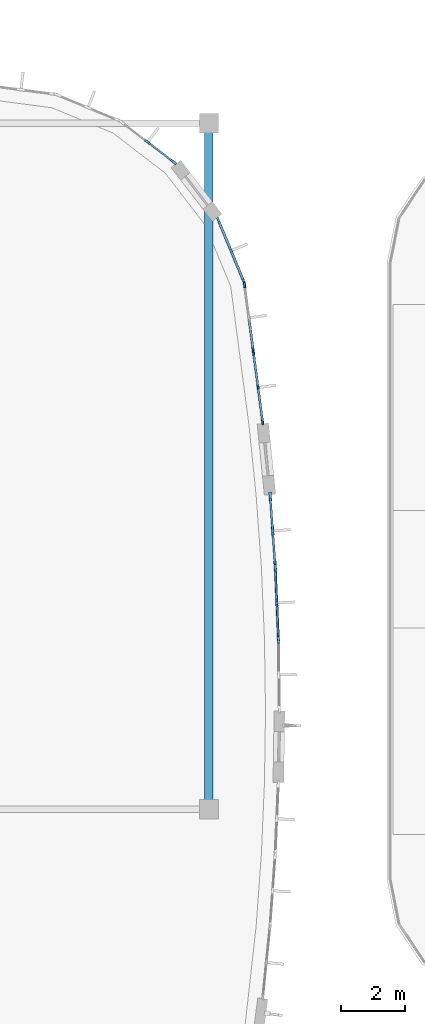
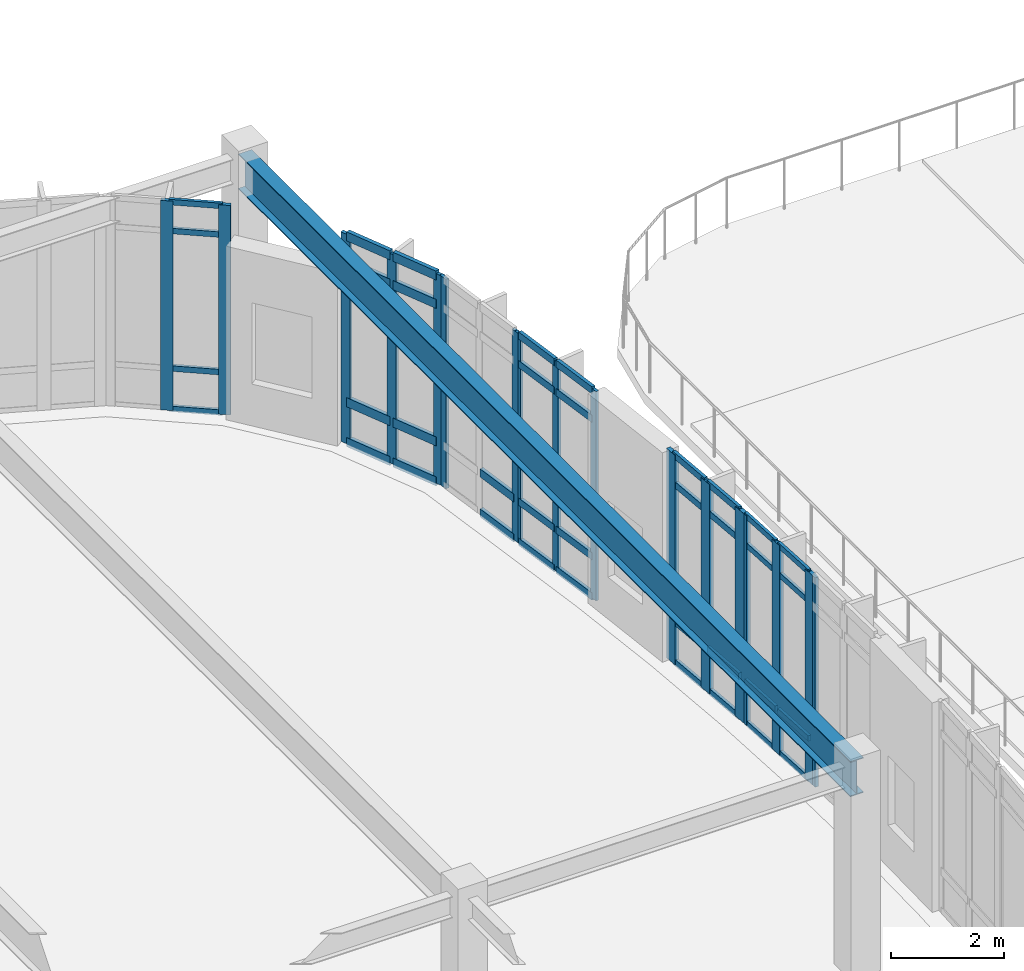
# One storey, part 48 of 120: 55 members, 1 beam, 7 elements without a shape of their own.
"""IFC4 building model written with IfcOpenShell, lengths in metres."""

from ifc_helpers import new_model, si_unit, direction, frame, origin, origin_2d, place, context, subcontext, project, spatial, rectangle, i_section, extrude, material, material_profile, profile_set, type_object, element, aggregate, save


model = new_model("IFC4")

# Units and contexts
model_context = context("Model", 3, precision=1e-05, world=origin(), true_north=direction((0.0, 1.0)))
body_context = subcontext(model_context, "Body", "Model", "MODEL_VIEW")
ifc_project = project(units=[si_unit("LENGTHUNIT", "METRE"), si_unit("AREAUNIT", "SQUARE_METRE"), si_unit("VOLUMEUNIT", "CUBIC_METRE"), si_unit("PLANEANGLEUNIT", "RADIAN"), si_unit("MASSUNIT", "GRAM", prefix="KILO")], contexts=[model_context])

# Site, building, storey
site_placement = place(None, origin())
site = spatial("IfcSite", under=ifc_project, at=site_placement, CompositionType="ELEMENT")
building_placement = place(site_placement, origin())
building = spatial("IfcBuilding", under=site, at=building_placement, Name="Corveleigh Park Community Centre", CompositionType="ELEMENT")
storey_placement = place(building_placement, origin())
storey = spatial("IfcBuildingStorey", under=building, at=storey_placement, Name="L00", CompositionType="ELEMENT", Elevation=0.0)

# Beam
ifc_material_1 = material(Name="Steel S355", Category="steel")
ifc_material_profile_1 = material_profile(ifc_material_1, i_section(OverallWidth=0.2666015625, OverallDepth=0.76220703125, WebThickness=0.014404296875, FlangeThickness=0.021484375, at=origin_2d()), Name="UKB 762x267x173", Category="steel")
ifc_profile_set_1 = profile_set([ifc_material_profile_1], Name="Steel S355")
beam_type = type_object("IfcBeamType", Name="BM-STL-UKB762x173", PredefinedType="BEAM", material=ifc_profile_set_1)
beam_placement = place(storey_placement, frame((54.39990234375, 92.804931640625, 4.130859375), z_axis=(0.0, 1.0, 0.0), x_axis=(-1.0, 0.0, 0.0)))
element("IfcBeam", 1, at=beam_placement, inside=storey, type_object=beam_type, Name="V2 Hall Floor Girder", PredefinedType="BEAM", context=body_context, shape_type="SweptSolid", body=[
    extrude(i_section(OverallWidth=0.2666015625, OverallDepth=0.76220703125, WebThickness=0.014404296875, FlangeThickness=0.021484375, at=origin_2d()), origin(), (0.0, 0.0, 1.0), 21.590087890625),
])

# Curtain wall, members
ifc_material_2 = material(Name="Anodised aluminium 6063-T6", Category="aluminium")
curtain_wall_type = type_object("IfcCurtainWallType", Name="CW-SYS-V2-L00", PredefinedType="NOTDEFINED", material=ifc_material_2)
curtain_wall_1_placement = place(storey_placement, origin())
curtain_wall_1 = element("IfcCurtainWall", 2, at=curtain_wall_1_placement, inside=storey, type_object=curtain_wall_type, Name="V2 L00 Curtain Wall 43", PredefinedType="NOTDEFINED")
ifc_material_profile_2 = material_profile(ifc_material_2, rectangle(XDim=0.06005859375, YDim=0.159912109375, at=origin_2d()), Name="ALU-M60x160", Category="aluminium")
ifc_profile_set_2 = profile_set([ifc_material_profile_2], Name="Anodised aluminium 6063-T6")
member_type_1 = type_object("IfcMemberType", Name="CWM-60x160", PredefinedType="MULLION", material=ifc_profile_set_2)
member_1_placement = place(storey_placement, frame((55.804931640625, 107.164306640625, 0.0), z_axis=(0.0, 0.0, 1.0), x_axis=(0.991508592502, 0.13004118961, 0.0)))
member_1 = element("IfcMember", 3, at=member_1_placement, type_object=member_type_1, Name="CW03 mullion 1", PredefinedType="MULLION", context=body_context, shape_type="SweptSolid", body=[
    extrude(rectangle(XDim=0.06005859375, YDim=0.159912109375, at=origin_2d()), origin(), (0.0, 0.0, 1.0), 4.511962890625),
])
member_2_placement = place(storey_placement, frame((55.947509765625, 106.076904296875, 0.0), z_axis=(0.0, 0.0, 1.0), x_axis=(0.991508592502, 0.13004118961, 0.0)))
member_2 = element("IfcMember", 4, at=member_2_placement, type_object=member_type_1, Name="CW03 mullion 2", PredefinedType="MULLION", context=body_context, shape_type="SweptSolid", body=[
    extrude(rectangle(XDim=0.06005859375, YDim=0.159912109375, at=origin_2d()), origin(), (0.0, 0.0, 1.0), 4.511962890625),
])
member_3_placement = place(storey_placement, frame((56.090087890625, 104.98974609375, 0.0), z_axis=(0.0, 0.0, 1.0), x_axis=(0.991508592502, 0.13004118961, 0.0)))
member_3 = element("IfcMember", 5, at=member_3_placement, type_object=member_type_1, Name="CW03 mullion 3", PredefinedType="MULLION", context=body_context, shape_type="SweptSolid", body=[
    extrude(rectangle(XDim=0.06005859375, YDim=0.159912109375, at=origin_2d()), origin(), (0.0, 0.0, 1.0), 4.511962890625),
])

curtain_wall_2_placement = place(storey_placement, origin())
curtain_wall_2 = element("IfcCurtainWall", 6, at=curtain_wall_2_placement, inside=storey, type_object=curtain_wall_type, Name="V2 L00 Curtain Wall 44", PredefinedType="NOTDEFINED")
ifc_material_profile_3 = material_profile(ifc_material_2, rectangle(XDim=0.06494140625, YDim=0.179931640625, at=origin_2d()), Name="ALU-M65x180", Category="aluminium")
ifc_profile_set_3 = profile_set([ifc_material_profile_3], Name="Anodised aluminium 6063-T6")
member_type_2 = type_object("IfcMemberType", Name="CWM-65x180", PredefinedType="MULLION", material=ifc_profile_set_3)
member_4_placement = place(storey_placement, frame((55.522216796875, 109.309814453125, 0.0), z_axis=(0.0, 0.0, 1.0), x_axis=(0.99145745499, 0.130430498525, 0.0)))
member_4 = element("IfcMember", 7, at=member_4_placement, type_object=member_type_2, Name="CW03 mullion 1", PredefinedType="MULLION", context=body_context, shape_type="SweptSolid", body=[
    extrude(rectangle(XDim=0.06494140625, YDim=0.179931640625, at=origin_2d()), origin(), (0.0, 0.0, 1.0), 4.511962890625),
])
member_5_placement = place(storey_placement, frame((55.794677734375, 107.23828125, 0.0), z_axis=(0.0, 0.0, 1.0), x_axis=(0.99145745499, 0.130430498525, 0.0)))
member_5 = element("IfcMember", 8, at=member_5_placement, type_object=member_type_2, Name="CW03 mullion 3", PredefinedType="MULLION", context=body_context, shape_type="SweptSolid", body=[
    extrude(rectangle(XDim=0.06494140625, YDim=0.179931640625, at=origin_2d()), origin(), (0.0, 0.0, 1.0), 4.511962890625),
])

curtain_wall_3_placement = place(storey_placement, origin())
curtain_wall_3 = element("IfcCurtainWall", 9, at=curtain_wall_3_placement, inside=storey, type_object=curtain_wall_type, Name="V2 L00 Curtain Wall 45", PredefinedType="NOTDEFINED")
ifc_material_profile_4 = material_profile(ifc_material_2, rectangle(XDim=0.070068359375, YDim=0.199951171875, at=origin_2d()), Name="ALU-M70x200", Category="aluminium")
ifc_profile_set_4 = profile_set([ifc_material_profile_4], Name="Anodised aluminium 6063-T6")
member_type_3 = type_object("IfcMemberType", Name="CWM-70x200", PredefinedType="MULLION", material=ifc_profile_set_4)
member_6_placement = place(storey_placement, frame((54.700439453125, 111.337646484375, 0.0), z_axis=(0.0, 0.0, 1.0), x_axis=(0.923770494231, 0.382946568059, 0.0)))
member_6 = element("IfcMember", 10, at=member_6_placement, type_object=member_type_3, Name="CW03 mullion 1", PredefinedType="MULLION", context=body_context, shape_type="SweptSolid", body=[
    extrude(rectangle(XDim=0.070068359375, YDim=0.199951171875, at=origin_2d()), origin(), (0.0, 0.0, 1.0), 4.511962890625),
])
member_7_placement = place(storey_placement, frame((55.094482421875, 110.386962890625, 0.0), z_axis=(0.0, 0.0, 1.0), x_axis=(0.923770494231, 0.382946568059, 0.0)))
member_7 = element("IfcMember", 11, at=member_7_placement, type_object=member_type_3, Name="CW03 mullion 2", PredefinedType="MULLION", context=body_context, shape_type="SweptSolid", body=[
    extrude(rectangle(XDim=0.070068359375, YDim=0.199951171875, at=origin_2d()), origin(), (0.0, 0.0, 1.0), 4.511962890625),
])
member_8_placement = place(storey_placement, frame((55.488525390625, 109.436279296875, 0.0), z_axis=(0.0, 0.0, 1.0), x_axis=(0.923770494231, 0.382946568059, 0.0)))
member_8 = element("IfcMember", 12, at=member_8_placement, type_object=member_type_3, Name="CW03 mullion 3", PredefinedType="MULLION", context=body_context, shape_type="SweptSolid", body=[
    extrude(rectangle(XDim=0.070068359375, YDim=0.199951171875, at=origin_2d()), origin(), (0.0, 0.0, 1.0), 4.511962890625),
])

# Curtain wall, member
curtain_wall_4_placement = place(storey_placement, origin())
curtain_wall_4 = element("IfcCurtainWall", 13, at=curtain_wall_4_placement, inside=storey, type_object=curtain_wall_type, Name="V2 L00 Curtain Wall 40", PredefinedType="NOTDEFINED")
ifc_material_profile_5 = material_profile(ifc_material_2, rectangle(XDim=0.074951171875, YDim=0.219970703125, at=origin_2d()), Name="ALU-M75x220", Category="aluminium")
ifc_profile_set_5 = profile_set([ifc_material_profile_5], Name="Anodised aluminium 6063-T6")
member_type_4 = type_object("IfcMemberType", Name="CWM-75x220", PredefinedType="MULLION", material=ifc_profile_set_5)
member_9_placement = place(storey_placement, frame((56.587646484375, 98.12158203125, 0.0), z_axis=(0.0, 0.0, 1.0), x_axis=(0.999892461794, 0.014665089441, 0.0)))
member_9 = element("IfcMember", 14, at=member_9_placement, type_object=member_type_4, Name="CW03 mullion 1", PredefinedType="MULLION", context=body_context, shape_type="SweptSolid", body=[
    extrude(rectangle(XDim=0.074951171875, YDim=0.219970703125, at=origin_2d()), origin(), (0.0, 0.0, 1.0), 4.511962890625),
])
aggregate(curtain_wall_4, [member_9])

# Curtain wall, members
curtain_wall_5_placement = place(storey_placement, origin())
curtain_wall_5 = element("IfcCurtainWall", 15, at=curtain_wall_5_placement, inside=storey, type_object=curtain_wall_type, Name="V2 L00 Curtain Wall 46", PredefinedType="NOTDEFINED")
member_10_placement = place(storey_placement, frame((52.469970703125, 113.8076171875, 0.0), z_axis=(0.0, 0.0, 1.0), x_axis=(0.608825655317, 0.793304053581, 0.0)))
member_10 = element("IfcMember", 16, at=member_10_placement, type_object=member_type_4, Name="CW03 mullion 2", PredefinedType="MULLION", context=body_context, shape_type="SweptSolid", body=[
    extrude(rectangle(XDim=0.074951171875, YDim=0.219970703125, at=origin_2d()), origin(), (0.0, 0.0, 1.0), 4.511962890625),
])
member_11_placement = place(storey_placement, frame((53.28515625, 113.181884765625, 0.0), z_axis=(0.0, 0.0, 1.0), x_axis=(0.608825655317, 0.793304053581, 0.0)))
member_11 = element("IfcMember", 17, at=member_11_placement, type_object=member_type_4, Name="CW03 mullion 3", PredefinedType="MULLION", context=body_context, shape_type="SweptSolid", body=[
    extrude(rectangle(XDim=0.074951171875, YDim=0.219970703125, at=origin_2d()), origin(), (0.0, 0.0, 1.0), 4.511962890625),
])

curtain_wall_6_placement = place(storey_placement, origin())
curtain_wall_6 = element("IfcCurtainWall", 18, at=curtain_wall_6_placement, inside=storey, type_object=curtain_wall_type, Name="V2 L00 Curtain Wall 41", PredefinedType="NOTDEFINED")
ifc_material_profile_6 = material_profile(ifc_material_2, rectangle(XDim=0.080078125, YDim=0.25, at=origin_2d()), Name="ALU-M80x250", Category="aluminium")
ifc_profile_set_6 = profile_set([ifc_material_profile_6], Name="Anodised aluminium 6063-T6")
member_type_5 = type_object("IfcMemberType", Name="CWM-80x250", PredefinedType="MULLION", material=ifc_profile_set_6)
member_12_placement = place(storey_placement, frame((56.49072265625, 100.384033203125, 0.0), z_axis=(0.0, 0.0, 1.0), x_axis=(0.99905027695, 0.043572286221, 0.0)))
member_12 = element("IfcMember", 19, at=member_12_placement, type_object=member_type_5, Name="CW03 mullion 1", PredefinedType="MULLION", context=body_context, shape_type="SweptSolid", body=[
    extrude(rectangle(XDim=0.080078125, YDim=0.25, at=origin_2d()), origin(), (0.0, 0.0, 1.0), 4.511962890625),
])
member_13_placement = place(storey_placement, frame((56.5380859375, 99.300537109375, 0.0), z_axis=(0.0, 0.0, 1.0), x_axis=(0.99905027695, 0.043572286221, 0.0)))
member_13 = element("IfcMember", 20, at=member_13_placement, type_object=member_type_5, Name="CW03 mullion 2", PredefinedType="MULLION", context=body_context, shape_type="SweptSolid", body=[
    extrude(rectangle(XDim=0.080078125, YDim=0.25, at=origin_2d()), origin(), (0.0, 0.0, 1.0), 4.511962890625),
])
member_14_placement = place(storey_placement, frame((56.585205078125, 98.217041015625, 0.0), z_axis=(0.0, 0.0, 1.0), x_axis=(0.99905027695, 0.043572286221, 0.0)))
member_14 = element("IfcMember", 21, at=member_14_placement, type_object=member_type_5, Name="CW03 mullion 3", PredefinedType="MULLION", context=body_context, shape_type="SweptSolid", body=[
    extrude(rectangle(XDim=0.080078125, YDim=0.25, at=origin_2d()), origin(), (0.0, 0.0, 1.0), 4.511962890625),
])

curtain_wall_7_placement = place(storey_placement, origin())
curtain_wall_7 = element("IfcCurtainWall", 22, at=curtain_wall_7_placement, inside=storey, type_object=curtain_wall_type, Name="V2 L00 Curtain Wall 42", PredefinedType="NOTDEFINED")
ifc_material_profile_7 = material_profile(ifc_material_2, rectangle(XDim=0.0849609375, YDim=0.27490234375, at=origin_2d()), Name="ALU-M85x275", Category="aluminium")
ifc_profile_set_7 = profile_set([ifc_material_profile_7], Name="Anodised aluminium 6063-T6")
member_type_6 = type_object("IfcMemberType", Name="CWM-85x275", PredefinedType="MULLION", material=ifc_profile_set_7)
member_15_placement = place(storey_placement, frame((56.3291015625, 102.6435546875, 0.0), z_axis=(0.0, 0.0, 1.0), x_axis=(0.997404262381, 0.072005120539, 0.0)))
member_15 = element("IfcMember", 23, at=member_15_placement, type_object=member_type_6, Name="CW03 mullion 1", PredefinedType="MULLION", context=body_context, shape_type="SweptSolid", body=[
    extrude(rectangle(XDim=0.0849609375, YDim=0.27490234375, at=origin_2d()), origin(), (0.0, 0.0, 1.0), 4.511962890625),
])
member_16_placement = place(storey_placement, frame((56.406982421875, 101.56396484375, 0.0), z_axis=(0.0, 0.0, 1.0), x_axis=(0.997404262381, 0.072005120539, 0.0)))
member_16 = element("IfcMember", 24, at=member_16_placement, type_object=member_type_6, Name="CW03 mullion 2", PredefinedType="MULLION", context=body_context, shape_type="SweptSolid", body=[
    extrude(rectangle(XDim=0.0849609375, YDim=0.27490234375, at=origin_2d()), origin(), (0.0, 0.0, 1.0), 4.511962890625),
])
member_17_placement = place(storey_placement, frame((56.48486328125, 100.484375, 0.0), z_axis=(0.0, 0.0, 1.0), x_axis=(0.997404262381, 0.072005120539, 0.0)))
member_17 = element("IfcMember", 25, at=member_17_placement, type_object=member_type_6, Name="CW03 mullion 3", PredefinedType="MULLION", context=body_context, shape_type="SweptSolid", body=[
    extrude(rectangle(XDim=0.0849609375, YDim=0.27490234375, at=origin_2d()), origin(), (0.0, 0.0, 1.0), 4.511962890625),
])

# Member
ifc_material_profile_8 = material_profile(ifc_material_2, rectangle(XDim=0.06005859375, YDim=0.1201171875, at=origin_2d()), Name="ALU-T60x120", Category="aluminium")
ifc_profile_set_8 = profile_set([ifc_material_profile_8], Name="Anodised aluminium 6063-T6")
member_type_7 = type_object("IfcMemberType", Name="CWT-60x120", PredefinedType="USERDEFINED", material=ifc_profile_set_8)
member_18_placement = place(storey_placement, frame((56.492431640625, 100.343994140625, 0.030029296875), z_axis=(0.043753679528, -0.999042349216, 0.0), x_axis=(0.999042349216, 0.043753679528, 0.0)))
member_18 = element("IfcMember", 26, at=member_18_placement, type_object=member_type_7, Name="CW03 transom 1.1", ObjectType="TRANSOM", PredefinedType="USERDEFINED", context=body_context, shape_type="SweptSolid", body=[
    extrude(rectangle(XDim=0.06005859375, YDim=0.1201171875, at=origin_2d()), origin(), (0.0, 0.0, 1.0), 1.00439453125),
])

member_19_placement = place(storey_placement, frame((56.492431640625, 100.343994140625, 0.89990234375), z_axis=(0.043753679528, -0.999042349216, 0.0), x_axis=(0.999042349216, 0.043753679528, 0.0)))
member_19 = element("IfcMember", 27, at=member_19_placement, type_object=member_type_7, Name="CW03 transom 1.2", ObjectType="TRANSOM", PredefinedType="USERDEFINED", context=body_context, shape_type="SweptSolid", body=[
    extrude(rectangle(XDim=0.06005859375, YDim=0.1201171875, at=origin_2d()), origin(), (0.0, 0.0, 1.0), 1.00439453125),
])

member_20_placement = place(storey_placement, frame((56.492431640625, 100.343994140625, 3.862060546875), z_axis=(0.043753679528, -0.999042349216, 0.0), x_axis=(0.999042349216, 0.043753679528, 0.0)))
member_20 = element("IfcMember", 28, at=member_20_placement, type_object=member_type_7, Name="CW03 transom 1.3", ObjectType="TRANSOM", PredefinedType="USERDEFINED", context=body_context, shape_type="SweptSolid", body=[
    extrude(rectangle(XDim=0.06005859375, YDim=0.1201171875, at=origin_2d()), origin(), (0.0, 0.0, 1.0), 1.00439453125),
])

member_21_placement = place(storey_placement, frame((56.492431640625, 100.343994140625, 4.48193359375), z_axis=(0.043753679528, -0.999042349216, 0.0), x_axis=(0.999042349216, 0.043753679528, 0.0)))
member_21 = element("IfcMember", 29, at=member_21_placement, type_object=member_type_7, Name="CW03 transom 1.4", ObjectType="TRANSOM", PredefinedType="USERDEFINED", context=body_context, shape_type="SweptSolid", body=[
    extrude(rectangle(XDim=0.06005859375, YDim=0.1201171875, at=origin_2d()), origin(), (0.0, 0.0, 1.0), 1.00439453125),
])

member_22_placement = place(storey_placement, frame((56.539794921875, 99.260498046875, 0.030029296875), z_axis=(0.04350050098, -0.999053405186, 0.0), x_axis=(0.999053405186, 0.04350050098, 0.0)))
member_22 = element("IfcMember", 30, at=member_22_placement, type_object=member_type_7, Name="CW03 transom 2.1", ObjectType="TRANSOM", PredefinedType="USERDEFINED", context=body_context, shape_type="SweptSolid", body=[
    extrude(rectangle(XDim=0.06005859375, YDim=0.1201171875, at=origin_2d()), origin(), (0.0, 0.0, 1.0), 1.004638671875),
])

member_23_placement = place(storey_placement, frame((56.539794921875, 99.260498046875, 0.89990234375), z_axis=(0.04350050098, -0.999053405186, 0.0), x_axis=(0.999053405186, 0.04350050098, 0.0)))
member_23 = element("IfcMember", 31, at=member_23_placement, type_object=member_type_7, Name="CW03 transom 2.2", ObjectType="TRANSOM", PredefinedType="USERDEFINED", context=body_context, shape_type="SweptSolid", body=[
    extrude(rectangle(XDim=0.06005859375, YDim=0.1201171875, at=origin_2d()), origin(), (0.0, 0.0, 1.0), 1.004638671875),
])

member_24_placement = place(storey_placement, frame((56.539794921875, 99.260498046875, 3.862060546875), z_axis=(0.04350050098, -0.999053405186, 0.0), x_axis=(0.999053405186, 0.04350050098, 0.0)))
member_24 = element("IfcMember", 32, at=member_24_placement, type_object=member_type_7, Name="CW03 transom 2.3", ObjectType="TRANSOM", PredefinedType="USERDEFINED", context=body_context, shape_type="SweptSolid", body=[
    extrude(rectangle(XDim=0.06005859375, YDim=0.1201171875, at=origin_2d()), origin(), (0.0, 0.0, 1.0), 1.004638671875),
])

member_25_placement = place(storey_placement, frame((56.539794921875, 99.260498046875, 4.48193359375), z_axis=(0.04350050098, -0.999053405186, 0.0), x_axis=(0.999053405186, 0.04350050098, 0.0)))
member_25 = element("IfcMember", 33, at=member_25_placement, type_object=member_type_7, Name="CW03 transom 2.4", ObjectType="TRANSOM", PredefinedType="USERDEFINED", context=body_context, shape_type="SweptSolid", body=[
    extrude(rectangle(XDim=0.06005859375, YDim=0.1201171875, at=origin_2d()), origin(), (0.0, 0.0, 1.0), 1.004638671875),
])

aggregate(curtain_wall_6, [member_12, member_13, member_14, member_18, member_19, member_20, member_21, member_22, member_23, member_24, member_25])

member_26_placement = place(storey_placement, frame((52.499755859375, 113.78466796875, 0.030029296875), z_axis=(0.79330932609, -0.608818785139, 0.0), x_axis=(0.608818785139, 0.79330932609, 0.0)))
member_26 = element("IfcMember", 34, at=member_26_placement, type_object=member_type_7, Name="CW03 transom 2.1", ObjectType="TRANSOM", PredefinedType="USERDEFINED", context=body_context, shape_type="SweptSolid", body=[
    extrude(rectangle(XDim=0.06005859375, YDim=0.1201171875, at=origin_2d()), origin(), (0.0, 0.0, 1.0), 0.952880859375),
])

member_27_placement = place(storey_placement, frame((52.499755859375, 113.78466796875, 0.89990234375), z_axis=(0.79330932609, -0.608818785139, 0.0), x_axis=(0.608818785139, 0.79330932609, 0.0)))
member_27 = element("IfcMember", 35, at=member_27_placement, type_object=member_type_7, Name="CW03 transom 2.2", ObjectType="TRANSOM", PredefinedType="USERDEFINED", context=body_context, shape_type="SweptSolid", body=[
    extrude(rectangle(XDim=0.06005859375, YDim=0.1201171875, at=origin_2d()), origin(), (0.0, 0.0, 1.0), 0.952880859375),
])

member_28_placement = place(storey_placement, frame((52.499755859375, 113.78466796875, 3.862060546875), z_axis=(0.79330932609, -0.608818785139, 0.0), x_axis=(0.608818785139, 0.79330932609, 0.0)))
member_28 = element("IfcMember", 36, at=member_28_placement, type_object=member_type_7, Name="CW03 transom 2.3", ObjectType="TRANSOM", PredefinedType="USERDEFINED", context=body_context, shape_type="SweptSolid", body=[
    extrude(rectangle(XDim=0.06005859375, YDim=0.1201171875, at=origin_2d()), origin(), (0.0, 0.0, 1.0), 0.952880859375),
])

member_29_placement = place(storey_placement, frame((52.499755859375, 113.78466796875, 4.48193359375), z_axis=(0.79330932609, -0.608818785139, 0.0), x_axis=(0.608818785139, 0.79330932609, 0.0)))
member_29 = element("IfcMember", 37, at=member_29_placement, type_object=member_type_7, Name="CW03 transom 2.4", ObjectType="TRANSOM", PredefinedType="USERDEFINED", context=body_context, shape_type="SweptSolid", body=[
    extrude(rectangle(XDim=0.06005859375, YDim=0.1201171875, at=origin_2d()), origin(), (0.0, 0.0, 1.0), 0.952880859375),
])

aggregate(curtain_wall_5, [member_10, member_11, member_26, member_27, member_28, member_29])

ifc_material_profile_9 = material_profile(ifc_material_2, rectangle(XDim=0.06494140625, YDim=0.139892578125, at=origin_2d()), Name="ALU-T65x140", Category="aluminium")
ifc_profile_set_9 = profile_set([ifc_material_profile_9], Name="Anodised aluminium 6063-T6")
member_type_8 = type_object("IfcMemberType", Name="CWT-65x140", PredefinedType="USERDEFINED", material=ifc_profile_set_9)
member_30_placement = place(storey_placement, frame((56.33203125, 102.601318359375, 0.032470703125), z_axis=(0.072203686558, -0.997389907532, 0.0), x_axis=(0.997389907532, 0.072203686558, 0.0)))
member_30 = element("IfcMember", 38, at=member_30_placement, type_object=member_type_8, Name="CW03 transom 1.1", ObjectType="TRANSOM", PredefinedType="USERDEFINED", context=body_context, shape_type="SweptSolid", body=[
    extrude(rectangle(XDim=0.06494140625, YDim=0.139892578125, at=origin_2d()), origin(), (0.0, 0.0, 1.0), 0.99755859375),
])

member_31_placement = place(storey_placement, frame((56.33203125, 102.601318359375, 0.89990234375), z_axis=(0.072203686558, -0.997389907532, 0.0), x_axis=(0.997389907532, 0.072203686558, 0.0)))
member_31 = element("IfcMember", 39, at=member_31_placement, type_object=member_type_8, Name="CW03 transom 1.2", ObjectType="TRANSOM", PredefinedType="USERDEFINED", context=body_context, shape_type="SweptSolid", body=[
    extrude(rectangle(XDim=0.06494140625, YDim=0.139892578125, at=origin_2d()), origin(), (0.0, 0.0, 1.0), 0.99755859375),
])

member_32_placement = place(storey_placement, frame((56.33203125, 102.601318359375, 3.862060546875), z_axis=(0.072203686558, -0.997389907532, 0.0), x_axis=(0.997389907532, 0.072203686558, 0.0)))
member_32 = element("IfcMember", 40, at=member_32_placement, type_object=member_type_8, Name="CW03 transom 1.3", ObjectType="TRANSOM", PredefinedType="USERDEFINED", context=body_context, shape_type="SweptSolid", body=[
    extrude(rectangle(XDim=0.06494140625, YDim=0.139892578125, at=origin_2d()), origin(), (0.0, 0.0, 1.0), 0.99755859375),
])

member_33_placement = place(storey_placement, frame((56.33203125, 102.601318359375, 4.4794921875), z_axis=(0.072203686558, -0.997389907532, 0.0), x_axis=(0.997389907532, 0.072203686558, 0.0)))
member_33 = element("IfcMember", 41, at=member_33_placement, type_object=member_type_8, Name="CW03 transom 1.4", ObjectType="TRANSOM", PredefinedType="USERDEFINED", context=body_context, shape_type="SweptSolid", body=[
    extrude(rectangle(XDim=0.06494140625, YDim=0.139892578125, at=origin_2d()), origin(), (0.0, 0.0, 1.0), 0.99755859375),
])

member_34_placement = place(storey_placement, frame((56.41015625, 101.521728515625, 0.032470703125), z_axis=(0.071960197867, -0.997407504445, 0.0), x_axis=(0.997407504445, 0.071960197867, 0.0)))
member_34 = element("IfcMember", 42, at=member_34_placement, type_object=member_type_8, Name="CW03 transom 2.1", ObjectType="TRANSOM", PredefinedType="USERDEFINED", context=body_context, shape_type="SweptSolid", body=[
    extrude(rectangle(XDim=0.06494140625, YDim=0.139892578125, at=origin_2d()), origin(), (0.0, 0.0, 1.0), 0.99755859375),
])

member_35_placement = place(storey_placement, frame((56.41015625, 101.521728515625, 0.89990234375), z_axis=(0.071960197867, -0.997407504445, 0.0), x_axis=(0.997407504445, 0.071960197867, 0.0)))
member_35 = element("IfcMember", 43, at=member_35_placement, type_object=member_type_8, Name="CW03 transom 2.2", ObjectType="TRANSOM", PredefinedType="USERDEFINED", context=body_context, shape_type="SweptSolid", body=[
    extrude(rectangle(XDim=0.06494140625, YDim=0.139892578125, at=origin_2d()), origin(), (0.0, 0.0, 1.0), 0.99755859375),
])

member_36_placement = place(storey_placement, frame((56.41015625, 101.521728515625, 3.862060546875), z_axis=(0.071960197867, -0.997407504445, 0.0), x_axis=(0.997407504445, 0.071960197867, 0.0)))
member_36 = element("IfcMember", 44, at=member_36_placement, type_object=member_type_8, Name="CW03 transom 2.3", ObjectType="TRANSOM", PredefinedType="USERDEFINED", context=body_context, shape_type="SweptSolid", body=[
    extrude(rectangle(XDim=0.06494140625, YDim=0.139892578125, at=origin_2d()), origin(), (0.0, 0.0, 1.0), 0.99755859375),
])

member_37_placement = place(storey_placement, frame((56.41015625, 101.521728515625, 4.4794921875), z_axis=(0.071960197867, -0.997407504445, 0.0), x_axis=(0.997407504445, 0.071960197867, 0.0)))
member_37 = element("IfcMember", 45, at=member_37_placement, type_object=member_type_8, Name="CW03 transom 2.4", ObjectType="TRANSOM", PredefinedType="USERDEFINED", context=body_context, shape_type="SweptSolid", body=[
    extrude(rectangle(XDim=0.06494140625, YDim=0.139892578125, at=origin_2d()), origin(), (0.0, 0.0, 1.0), 0.99755859375),
])

aggregate(curtain_wall_7, [member_15, member_16, member_17, member_30, member_31, member_32, member_33, member_34, member_35, member_36, member_37])

ifc_material_profile_10 = material_profile(ifc_material_2, rectangle(XDim=0.070068359375, YDim=0.155029296875, at=origin_2d()), Name="ALU-T70x155", Category="aluminium")
ifc_profile_set_10 = profile_set([ifc_material_profile_10], Name="Anodised aluminium 6063-T6")
member_type_9 = type_object("IfcMemberType", Name="CWT-70x155", PredefinedType="USERDEFINED", material=ifc_profile_set_10)
member_38_placement = place(storey_placement, frame((55.808837890625, 107.134521484375, 0.034912109375), z_axis=(0.130003671935, -0.991513512406, 0.0), x_axis=(0.991513512406, 0.130003671935, 0.0)))
member_38 = element("IfcMember", 46, at=member_38_placement, type_object=member_type_9, Name="CW03 transom 1.1", ObjectType="TRANSOM", PredefinedType="USERDEFINED", context=body_context, shape_type="SweptSolid", body=[
    extrude(rectangle(XDim=0.070068359375, YDim=0.155029296875, at=origin_2d()), origin(), (0.0, 0.0, 1.0), 1.03662109375),
])

member_39_placement = place(storey_placement, frame((55.808837890625, 107.134521484375, 0.89990234375), z_axis=(0.130003671935, -0.991513512406, 0.0), x_axis=(0.991513512406, 0.130003671935, 0.0)))
member_39 = element("IfcMember", 47, at=member_39_placement, type_object=member_type_9, Name="CW03 transom 1.2", ObjectType="TRANSOM", PredefinedType="USERDEFINED", context=body_context, shape_type="SweptSolid", body=[
    extrude(rectangle(XDim=0.070068359375, YDim=0.155029296875, at=origin_2d()), origin(), (0.0, 0.0, 1.0), 1.03662109375),
])

member_40_placement = place(storey_placement, frame((55.808837890625, 107.134521484375, 3.862060546875), z_axis=(0.130003671935, -0.991513512406, 0.0), x_axis=(0.991513512406, 0.130003671935, 0.0)))
member_40 = element("IfcMember", 48, at=member_40_placement, type_object=member_type_9, Name="CW03 transom 1.3", ObjectType="TRANSOM", PredefinedType="USERDEFINED", context=body_context, shape_type="SweptSolid", body=[
    extrude(rectangle(XDim=0.070068359375, YDim=0.155029296875, at=origin_2d()), origin(), (0.0, 0.0, 1.0), 1.03662109375),
])

member_41_placement = place(storey_placement, frame((55.808837890625, 107.134521484375, 4.47705078125), z_axis=(0.130003671935, -0.991513512406, 0.0), x_axis=(0.991513512406, 0.130003671935, 0.0)))
member_41 = element("IfcMember", 49, at=member_41_placement, type_object=member_type_9, Name="CW03 transom 1.4", ObjectType="TRANSOM", PredefinedType="USERDEFINED", context=body_context, shape_type="SweptSolid", body=[
    extrude(rectangle(XDim=0.070068359375, YDim=0.155029296875, at=origin_2d()), origin(), (0.0, 0.0, 1.0), 1.03662109375),
])

member_42_placement = place(storey_placement, frame((55.951416015625, 106.04736328125, 0.034912109375), z_axis=(0.130003671935, -0.991513512406, 0.0), x_axis=(0.991513512406, 0.130003671935, 0.0)))
member_42 = element("IfcMember", 50, at=member_42_placement, type_object=member_type_9, Name="CW03 transom 2.1", ObjectType="TRANSOM", PredefinedType="USERDEFINED", context=body_context, shape_type="SweptSolid", body=[
    extrude(rectangle(XDim=0.070068359375, YDim=0.155029296875, at=origin_2d()), origin(), (0.0, 0.0, 1.0), 1.03662109375),
])

member_43_placement = place(storey_placement, frame((55.951416015625, 106.04736328125, 0.89990234375), z_axis=(0.130003671935, -0.991513512406, 0.0), x_axis=(0.991513512406, 0.130003671935, 0.0)))
member_43 = element("IfcMember", 51, at=member_43_placement, type_object=member_type_9, Name="CW03 transom 2.2", ObjectType="TRANSOM", PredefinedType="USERDEFINED", context=body_context, shape_type="SweptSolid", body=[
    extrude(rectangle(XDim=0.070068359375, YDim=0.155029296875, at=origin_2d()), origin(), (0.0, 0.0, 1.0), 1.03662109375),
])

member_44_placement = place(storey_placement, frame((55.951416015625, 106.04736328125, 3.862060546875), z_axis=(0.130003671935, -0.991513512406, 0.0), x_axis=(0.991513512406, 0.130003671935, 0.0)))
member_44 = element("IfcMember", 52, at=member_44_placement, type_object=member_type_9, Name="CW03 transom 2.3", ObjectType="TRANSOM", PredefinedType="USERDEFINED", context=body_context, shape_type="SweptSolid", body=[
    extrude(rectangle(XDim=0.070068359375, YDim=0.155029296875, at=origin_2d()), origin(), (0.0, 0.0, 1.0), 1.03662109375),
])

member_45_placement = place(storey_placement, frame((55.951416015625, 106.04736328125, 4.47705078125), z_axis=(0.130003671935, -0.991513512406, 0.0), x_axis=(0.991513512406, 0.130003671935, 0.0)))
member_45 = element("IfcMember", 53, at=member_45_placement, type_object=member_type_9, Name="CW03 transom 2.4", ObjectType="TRANSOM", PredefinedType="USERDEFINED", context=body_context, shape_type="SweptSolid", body=[
    extrude(rectangle(XDim=0.070068359375, YDim=0.155029296875, at=origin_2d()), origin(), (0.0, 0.0, 1.0), 1.03662109375),
])

aggregate(curtain_wall_1, [member_1, member_2, member_3, member_38, member_39, member_40, member_41, member_42, member_43, member_44, member_45])

ifc_material_profile_11 = material_profile(ifc_material_2, rectangle(XDim=0.074951171875, YDim=0.175048828125, at=origin_2d()), Name="ALU-T75x175", Category="aluminium")
ifc_profile_set_11 = profile_set([ifc_material_profile_11], Name="Anodised aluminium 6063-T6")
member_type_10 = type_object("IfcMemberType", Name="CWT-75x175", PredefinedType="USERDEFINED", material=ifc_profile_set_11)
member_46_placement = place(storey_placement, frame((55.662841796875, 108.24169921875, 0.03759765625), z_axis=(0.130351355591, -0.99146786337, 0.0), x_axis=(0.99146786337, 0.130351355591, 0.0)))
member_46 = element("IfcMember", 54, at=member_46_placement, type_object=member_type_10, Name="CW03 transom 2.1", ObjectType="TRANSOM", PredefinedType="USERDEFINED", context=body_context, shape_type="SweptSolid", body=[
    extrude(rectangle(XDim=0.074951171875, YDim=0.175048828125, at=origin_2d()), origin(), (0.0, 0.0, 1.0), 0.9794921875),
])

member_47_placement = place(storey_placement, frame((55.662841796875, 108.24169921875, 0.89990234375), z_axis=(0.130351355591, -0.99146786337, 0.0), x_axis=(0.99146786337, 0.130351355591, 0.0)))
member_47 = element("IfcMember", 55, at=member_47_placement, type_object=member_type_10, Name="CW03 transom 2.2", ObjectType="TRANSOM", PredefinedType="USERDEFINED", context=body_context, shape_type="SweptSolid", body=[
    extrude(rectangle(XDim=0.074951171875, YDim=0.175048828125, at=origin_2d()), origin(), (0.0, 0.0, 1.0), 0.9794921875),
])

aggregate(curtain_wall_2, [member_4, member_5, member_46, member_47])

ifc_material_profile_12 = material_profile(ifc_material_2, rectangle(XDim=0.080078125, YDim=0.195068359375, at=origin_2d()), Name="ALU-T80x195", Category="aluminium")
ifc_profile_set_12 = profile_set([ifc_material_profile_12], Name="Anodised aluminium 6063-T6")
member_type_11 = type_object("IfcMemberType", Name="CWT-80x195", PredefinedType="USERDEFINED", material=ifc_profile_set_12)
member_48_placement = place(storey_placement, frame((54.7138671875, 111.305419921875, 0.0400390625), z_axis=(0.382861375616, -0.923805805925, 0.0), x_axis=(0.923805805925, 0.382861375616, 0.0)))
member_48 = element("IfcMember", 56, at=member_48_placement, type_object=member_type_11, Name="CW03 transom 1.1", ObjectType="TRANSOM", PredefinedType="USERDEFINED", context=body_context, shape_type="SweptSolid", body=[
    extrude(rectangle(XDim=0.080078125, YDim=0.195068359375, at=origin_2d()), origin(), (0.0, 0.0, 1.0), 0.958984375),
])

member_49_placement = place(storey_placement, frame((54.7138671875, 111.305419921875, 0.89990234375), z_axis=(0.382861375616, -0.923805805925, 0.0), x_axis=(0.923805805925, 0.382861375616, 0.0)))
member_49 = element("IfcMember", 57, at=member_49_placement, type_object=member_type_11, Name="CW03 transom 1.2", ObjectType="TRANSOM", PredefinedType="USERDEFINED", context=body_context, shape_type="SweptSolid", body=[
    extrude(rectangle(XDim=0.080078125, YDim=0.195068359375, at=origin_2d()), origin(), (0.0, 0.0, 1.0), 0.958984375),
])

member_50_placement = place(storey_placement, frame((54.7138671875, 111.305419921875, 3.862060546875), z_axis=(0.382861375616, -0.923805805925, 0.0), x_axis=(0.923805805925, 0.382861375616, 0.0)))
member_50 = element("IfcMember", 58, at=member_50_placement, type_object=member_type_11, Name="CW03 transom 1.3", ObjectType="TRANSOM", PredefinedType="USERDEFINED", context=body_context, shape_type="SweptSolid", body=[
    extrude(rectangle(XDim=0.080078125, YDim=0.195068359375, at=origin_2d()), origin(), (0.0, 0.0, 1.0), 0.958984375),
])

member_51_placement = place(storey_placement, frame((54.7138671875, 111.305419921875, 4.471923828125), z_axis=(0.382861375616, -0.923805805925, 0.0), x_axis=(0.923805805925, 0.382861375616, 0.0)))
member_51 = element("IfcMember", 59, at=member_51_placement, type_object=member_type_11, Name="CW03 transom 1.4", ObjectType="TRANSOM", PredefinedType="USERDEFINED", context=body_context, shape_type="SweptSolid", body=[
    extrude(rectangle(XDim=0.080078125, YDim=0.195068359375, at=origin_2d()), origin(), (0.0, 0.0, 1.0), 0.958984375),
])

member_52_placement = place(storey_placement, frame((55.10791015625, 110.354736328125, 0.0400390625), z_axis=(0.382861375616, -0.923805805925, 0.0), x_axis=(0.923805805925, 0.382861375616, 0.0)))
member_52 = element("IfcMember", 60, at=member_52_placement, type_object=member_type_11, Name="CW03 transom 2.1", ObjectType="TRANSOM", PredefinedType="USERDEFINED", context=body_context, shape_type="SweptSolid", body=[
    extrude(rectangle(XDim=0.080078125, YDim=0.195068359375, at=origin_2d()), origin(), (0.0, 0.0, 1.0), 0.958984375),
])

member_53_placement = place(storey_placement, frame((55.10791015625, 110.354736328125, 0.89990234375), z_axis=(0.382861375616, -0.923805805925, 0.0), x_axis=(0.923805805925, 0.382861375616, 0.0)))
member_53 = element("IfcMember", 61, at=member_53_placement, type_object=member_type_11, Name="CW03 transom 2.2", ObjectType="TRANSOM", PredefinedType="USERDEFINED", context=body_context, shape_type="SweptSolid", body=[
    extrude(rectangle(XDim=0.080078125, YDim=0.195068359375, at=origin_2d()), origin(), (0.0, 0.0, 1.0), 0.958984375),
])

member_54_placement = place(storey_placement, frame((55.10791015625, 110.354736328125, 3.862060546875), z_axis=(0.382861375616, -0.923805805925, 0.0), x_axis=(0.923805805925, 0.382861375616, 0.0)))
member_54 = element("IfcMember", 62, at=member_54_placement, type_object=member_type_11, Name="CW03 transom 2.3", ObjectType="TRANSOM", PredefinedType="USERDEFINED", context=body_context, shape_type="SweptSolid", body=[
    extrude(rectangle(XDim=0.080078125, YDim=0.195068359375, at=origin_2d()), origin(), (0.0, 0.0, 1.0), 0.958984375),
])

member_55_placement = place(storey_placement, frame((55.10791015625, 110.354736328125, 4.471923828125), z_axis=(0.382861375616, -0.923805805925, 0.0), x_axis=(0.923805805925, 0.382861375616, 0.0)))
member_55 = element("IfcMember", 63, at=member_55_placement, type_object=member_type_11, Name="CW03 transom 2.4", ObjectType="TRANSOM", PredefinedType="USERDEFINED", context=body_context, shape_type="SweptSolid", body=[
    extrude(rectangle(XDim=0.080078125, YDim=0.195068359375, at=origin_2d()), origin(), (0.0, 0.0, 1.0), 0.958984375),
])

aggregate(curtain_wall_3, [member_6, member_7, member_8, member_48, member_49, member_50, member_51, member_52, member_53, member_54, member_55])

save(model, "model.ifc")
